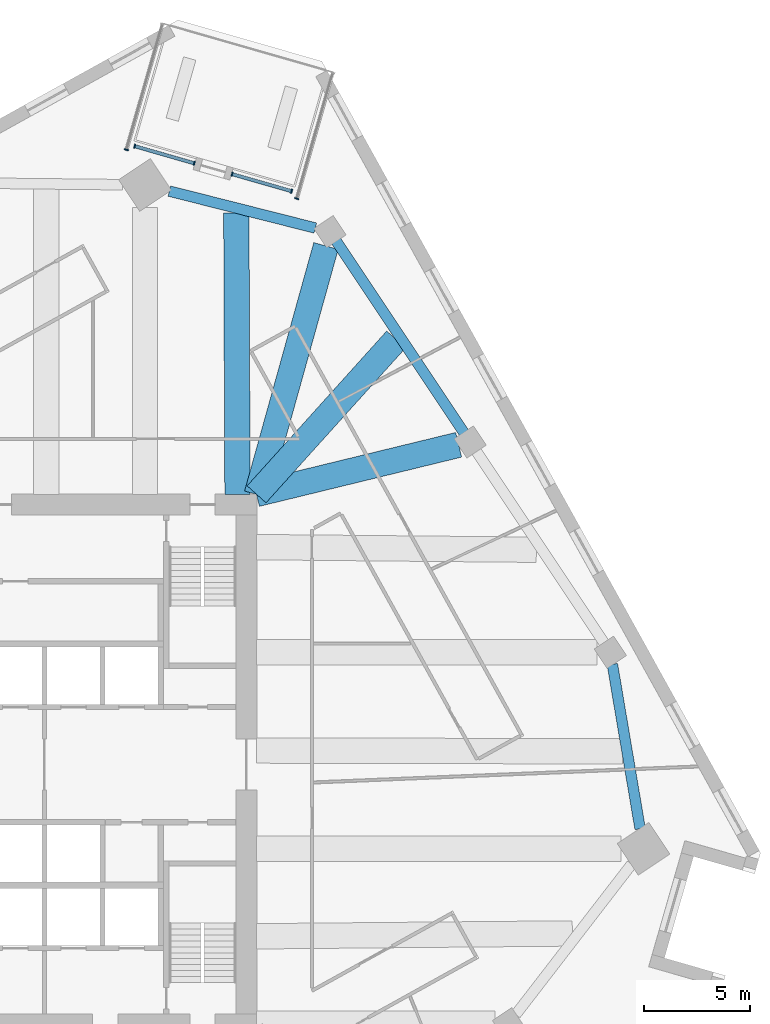
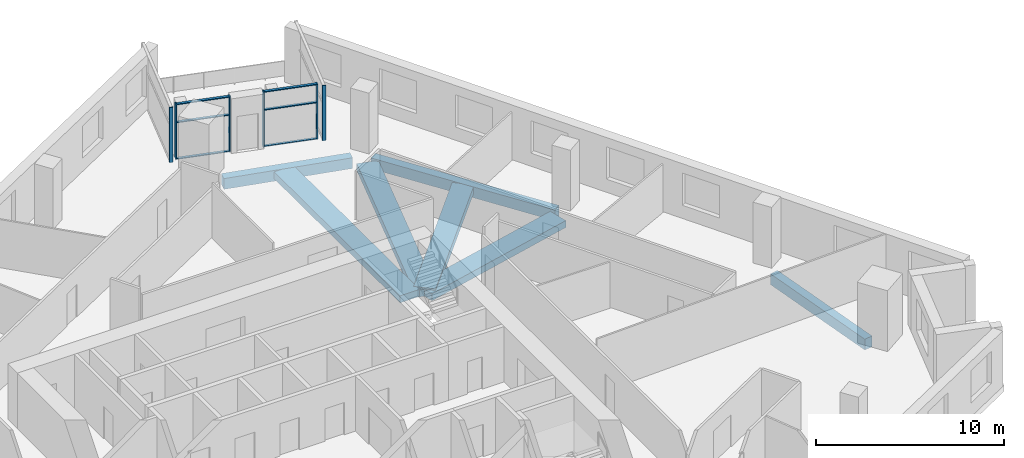
# One storey, part 2 of 12: 12 members, 7 beams, 4 elements without a shape of their own.
"""IFC4 building model written with IfcOpenShell, lengths in metres."""

from ifc_helpers import new_model, si_unit, direction, frame, origin, origin_2d, place, context, subcontext, project, spatial, rectangle, extrude, material, material_profile, profile_set, type_object, element, aggregate, save


model = new_model("IFC4")

# Units and contexts
model_context = context("Model", 3, precision=1e-05, world=origin(), true_north=direction((0.0, 1.0)))
body_context = subcontext(model_context, "Body", "Model", "MODEL_VIEW")
ifc_project = project(units=[si_unit("LENGTHUNIT", "METRE"), si_unit("AREAUNIT", "SQUARE_METRE"), si_unit("VOLUMEUNIT", "CUBIC_METRE"), si_unit("PLANEANGLEUNIT", "RADIAN"), si_unit("MASSUNIT", "GRAM", prefix="KILO")], contexts=[model_context])

# Site, building, storey
site_placement = place(None, origin())
site = spatial("IfcSite", under=ifc_project, at=site_placement, CompositionType="ELEMENT")
building_placement = place(site_placement, origin())
building = spatial("IfcBuilding", under=site, at=building_placement, Name="Dilmun Exchange Tower", CompositionType="ELEMENT")
storey_placement = place(building_placement, frame((0.0, 0.0, 143.699951171875)))
storey = spatial("IfcBuildingStorey", under=building, at=storey_placement, Name="L33", CompositionType="ELEMENT", Elevation=143.699951171875)

# Curtain wall, member
ifc_material_1 = material(Name="Anodised aluminium and clear glass", Category="aluminium")
curtain_wall_type = type_object("IfcCurtainWallType", Name="Garden corner glazing", PredefinedType="NOTDEFINED", material=ifc_material_1)
curtain_wall_1_placement = place(storey_placement, origin())
curtain_wall_1 = element("IfcCurtainWall", 1, at=curtain_wall_1_placement, inside=storey, type_object=curtain_wall_type, Name="Garden corner glazing run GC1.1", PredefinedType="NOTDEFINED")
ifc_material_2 = material(Name="Anodised aluminium", Category="aluminium")
ifc_material_profile_1 = material_profile(ifc_material_2, rectangle(XDim=0.199951171875, YDim=0.06005859375, at=origin_2d()), Name="AL 60x200")
ifc_profile_set_1 = profile_set([ifc_material_profile_1], Name="Anodised aluminium")
member_type_1 = type_object("IfcMemberType", Name="Garden corner glazing mullion 60 x 200", PredefinedType="MULLION", material=ifc_profile_set_1)
member_1_placement = place(storey_placement, frame((14.680908203125, 26.765625, 0.0), z_axis=(0.0, 0.0, 1.0), x_axis=(0.961263137899, -0.275632327054, 0.0)))
member_1 = element("IfcMember", 2, at=member_1_placement, type_object=member_type_1, Name="GC1.1 mullion 2", PredefinedType="MULLION", context=body_context, shape_type="SweptSolid", body=[
    extrude(rectangle(XDim=0.199951171875, YDim=0.06005859375, at=origin_2d()), origin(), (0.0, 0.0, 1.0), 3.60009765625),
])
aggregate(curtain_wall_1, [member_1])

# Curtain wall, members
curtain_wall_2_placement = place(storey_placement, origin())
curtain_wall_2 = element("IfcCurtainWall", 3, at=curtain_wall_2_placement, inside=storey, type_object=curtain_wall_type, Name="Garden corner glazing run GC2.1", PredefinedType="NOTDEFINED")
member_2_placement = place(storey_placement, frame((14.438232421875, 27.115966796875, 0.0), z_axis=(0.0, 0.0, 1.0), x_axis=(-0.275666563186, -0.96125332038, 0.0)))
member_2 = element("IfcMember", 4, at=member_2_placement, type_object=member_type_1, Name="GC2.1 mullion 1", PredefinedType="MULLION", context=body_context, shape_type="SweptSolid", body=[
    extrude(rectangle(XDim=0.199951171875, YDim=0.06005859375, at=origin_2d()), origin(), (0.0, 0.0, 1.0), 3.60009765625),
])
member_3_placement = place(storey_placement, frame((11.62255859375, 27.92333984375, 0.0), z_axis=(0.0, 0.0, 1.0), x_axis=(-0.275666563186, -0.96125332038, 0.0)))
member_3 = element("IfcMember", 5, at=member_3_placement, type_object=member_type_1, Name="GC2.1 mullion 2", PredefinedType="MULLION", context=body_context, shape_type="SweptSolid", body=[
    extrude(rectangle(XDim=0.199951171875, YDim=0.06005859375, at=origin_2d()), origin(), (0.0, 0.0, 1.0), 3.60009765625),
])

curtain_wall_3_placement = place(storey_placement, origin())
curtain_wall_3 = element("IfcCurtainWall", 6, at=curtain_wall_3_placement, inside=storey, type_object=curtain_wall_type, Name="Garden corner glazing run GC2.3", PredefinedType="NOTDEFINED")
member_4_placement = place(storey_placement, frame((9.83447265625, 28.43603515625, 0.0), z_axis=(0.0, 0.0, 1.0), x_axis=(-0.275635650366, -0.961262184967, 0.0)))
member_4 = element("IfcMember", 7, at=member_4_placement, type_object=member_type_1, Name="GC2.3 mullion 1", PredefinedType="MULLION", context=body_context, shape_type="SweptSolid", body=[
    extrude(rectangle(XDim=0.199951171875, YDim=0.06005859375, at=origin_2d()), origin(), (0.0, 0.0, 1.0), 3.60009765625),
])
member_5_placement = place(storey_placement, frame((7.01904296875, 29.243408203125, 0.0), z_axis=(0.0, 0.0, 1.0), x_axis=(-0.275635650366, -0.961262184967, 0.0)))
member_5 = element("IfcMember", 8, at=member_5_placement, type_object=member_type_1, Name="GC2.3 mullion 2", PredefinedType="MULLION", context=body_context, shape_type="SweptSolid", body=[
    extrude(rectangle(XDim=0.199951171875, YDim=0.06005859375, at=origin_2d()), origin(), (0.0, 0.0, 1.0), 3.60009765625),
])

# Curtain wall, member
curtain_wall_4_placement = place(storey_placement, origin())
curtain_wall_4 = element("IfcCurtainWall", 9, at=curtain_wall_4_placement, inside=storey, type_object=curtain_wall_type, Name="Garden corner glazing run GC3.1", PredefinedType="NOTDEFINED")
member_6_placement = place(storey_placement, frame((6.62744140625, 29.074951171875, 0.0), z_axis=(0.0, 0.0, 1.0), x_axis=(-0.961264354152, 0.275628085354, 0.0)))
member_6 = element("IfcMember", 10, at=member_6_placement, type_object=member_type_1, Name="GC3.1 mullion 1", PredefinedType="MULLION", context=body_context, shape_type="SweptSolid", body=[
    extrude(rectangle(XDim=0.199951171875, YDim=0.06005859375, at=origin_2d()), origin(), (0.0, 0.0, 1.0), 3.60009765625),
])
aggregate(curtain_wall_4, [member_6])

# Member
ifc_material_profile_2 = material_profile(ifc_material_2, rectangle(XDim=0.159912109375, YDim=0.06005859375, at=origin_2d()), Name="AL 60x160")
ifc_profile_set_2 = profile_set([ifc_material_profile_2], Name="Anodised aluminium")
member_type_2 = type_object("IfcMemberType", Name="Garden corner glazing transom 60 x 160", PredefinedType="USERDEFINED", material=ifc_profile_set_2)
member_7_placement = place(storey_placement, frame((14.409423828125, 27.124267578125, 0.030029296875), z_axis=(-0.961269871069, 0.275608844153, 0.0), x_axis=(-0.275608844153, -0.961269871069, 0.0)))
member_7 = element("IfcMember", 11, at=member_7_placement, type_object=member_type_2, Name="GC2.1 transom 1.1", ObjectType="TRANSOM", PredefinedType="USERDEFINED", context=body_context, shape_type="SweptSolid", body=[
    extrude(rectangle(XDim=0.159912109375, YDim=0.06005859375, at=origin_2d()), origin(), (0.0, 0.0, 1.0), 2.869140625),
])

member_8_placement = place(storey_placement, frame((14.409423828125, 27.124267578125, 2.400146484375), z_axis=(-0.961269871069, 0.275608844153, 0.0), x_axis=(-0.275608844153, -0.961269871069, 0.0)))
member_8 = element("IfcMember", 12, at=member_8_placement, type_object=member_type_2, Name="GC2.1 transom 1.2", ObjectType="TRANSOM", PredefinedType="USERDEFINED", context=body_context, shape_type="SweptSolid", body=[
    extrude(rectangle(XDim=0.159912109375, YDim=0.06005859375, at=origin_2d()), origin(), (0.0, 0.0, 1.0), 2.869140625),
])

member_9_placement = place(storey_placement, frame((14.409423828125, 27.124267578125, 3.570068359375), z_axis=(-0.961269871069, 0.275608844153, 0.0), x_axis=(-0.275608844153, -0.961269871069, 0.0)))
member_9 = element("IfcMember", 13, at=member_9_placement, type_object=member_type_2, Name="GC2.1 transom 1.3", ObjectType="TRANSOM", PredefinedType="USERDEFINED", context=body_context, shape_type="SweptSolid", body=[
    extrude(rectangle(XDim=0.159912109375, YDim=0.06005859375, at=origin_2d()), origin(), (0.0, 0.0, 1.0), 2.869140625),
])

aggregate(curtain_wall_2, [member_2, member_3, member_7, member_8, member_9])

member_10_placement = place(storey_placement, frame((9.8056640625, 28.4443359375, 0.030029296875), z_axis=(-0.961263406765, 0.275631389387, 0.0), x_axis=(-0.275631389387, -0.961263406765, 0.0)))
member_10 = element("IfcMember", 14, at=member_10_placement, type_object=member_type_2, Name="GC2.3 transom 1.1", ObjectType="TRANSOM", PredefinedType="USERDEFINED", context=body_context, shape_type="SweptSolid", body=[
    extrude(rectangle(XDim=0.159912109375, YDim=0.06005859375, at=origin_2d()), origin(), (0.0, 0.0, 1.0), 2.868896484375),
])

member_11_placement = place(storey_placement, frame((9.8056640625, 28.4443359375, 2.400146484375), z_axis=(-0.961263406765, 0.275631389387, 0.0), x_axis=(-0.275631389387, -0.961263406765, 0.0)))
member_11 = element("IfcMember", 15, at=member_11_placement, type_object=member_type_2, Name="GC2.3 transom 1.2", ObjectType="TRANSOM", PredefinedType="USERDEFINED", context=body_context, shape_type="SweptSolid", body=[
    extrude(rectangle(XDim=0.159912109375, YDim=0.06005859375, at=origin_2d()), origin(), (0.0, 0.0, 1.0), 2.868896484375),
])

member_12_placement = place(storey_placement, frame((9.8056640625, 28.4443359375, 3.570068359375), z_axis=(-0.961263406765, 0.275631389387, 0.0), x_axis=(-0.275631389387, -0.961263406765, 0.0)))
member_12 = element("IfcMember", 16, at=member_12_placement, type_object=member_type_2, Name="GC2.3 transom 1.3", ObjectType="TRANSOM", PredefinedType="USERDEFINED", context=body_context, shape_type="SweptSolid", body=[
    extrude(rectangle(XDim=0.159912109375, YDim=0.06005859375, at=origin_2d()), origin(), (0.0, 0.0, 1.0), 2.868896484375),
])

aggregate(curtain_wall_3, [member_4, member_5, member_10, member_11, member_12])

# Beams
ifc_material_3 = material(Name="Concrete C40/50", Category="concrete")
ifc_material_profile_3 = material_profile(ifc_material_3, rectangle(XDim=1.199951171875, YDim=0.449951171875, at=origin_2d()), Name="1200 x 450")
ifc_profile_set_3 = profile_set([ifc_material_profile_3], Name="Concrete C40/50")
beam_type_1 = type_object("IfcBeamType", Name="RC band beam 1200 x 450 C40/50", PredefinedType="BEAM", material=ifc_profile_set_3)
beam_1_placement = place(storey_placement, frame((22.33837890625, 15.122802734375, -0.724853515625), z_axis=(-0.971607999859, -0.236596480554, 0.0), x_axis=(0.236596480554, -0.971607999859, 0.0)))
element("IfcBeam", 17, at=beam_1_placement, inside=storey, type_object=beam_type_1, Name="Band beam 15", PredefinedType="BEAM", context=body_context, shape_type="SweptSolid", body=[
    extrude(rectangle(XDim=1.199951171875, YDim=0.449951171875, at=origin_2d()), origin(), (0.0, 0.0, 1.0), 9.84423828125),
])
beam_2_placement = place(storey_placement, frame((16.064453125, 24.524658203125, -0.724853515625), z_axis=(-0.268225004284, -0.963356292904, 0.0), x_axis=(0.963356292904, -0.268225004284, 0.0)))
element("IfcBeam", 18, at=beam_2_placement, inside=storey, type_object=beam_type_1, Name="Band beam 16", PredefinedType="BEAM", context=body_context, shape_type="SweptSolid", body=[
    extrude(rectangle(XDim=1.199951171875, YDim=0.449951171875, at=origin_2d()), origin(), (0.0, 0.0, 1.0), 12.19775390625),
])
beam_3_placement = place(storey_placement, frame((19.381103515625, 20.102783203125, -0.625), z_axis=(-0.669462647611, -0.742845719819, 0.0), x_axis=(0.742845719819, -0.669462647611, 0.0)))
element("IfcBeam", 19, at=beam_3_placement, inside=storey, type_object=beam_type_1, Name="Band beam 31", PredefinedType="BEAM", context=body_context, shape_type="SweptSolid", body=[
    extrude(rectangle(XDim=1.199951171875, YDim=0.449951171875, at=origin_2d()), origin(), (0.0, 0.0, 1.0), 9.857666015625),
])
beam_4_placement = place(storey_placement, frame((11.82421875, 26.087890625, -0.625), z_axis=(0.004107193345, -0.999991565446, 0.0), x_axis=(0.999991565446, 0.004107193345, 0.0)))
element("IfcBeam", 20, at=beam_4_placement, inside=storey, type_object=beam_type_1, Name="Band beam 32", PredefinedType="BEAM", context=body_context, shape_type="SweptSolid", body=[
    extrude(rectangle(XDim=1.199951171875, YDim=0.449951171875, at=origin_2d()), origin(), (0.0, 0.0, 1.0), 13.31494140625),
])
ifc_material_profile_4 = material_profile(ifc_material_3, rectangle(XDim=0.5, YDim=0.699951171875, at=origin_2d()), Name="500 x 700")
ifc_profile_set_4 = profile_set([ifc_material_profile_4], Name="Concrete C40/50")
beam_type_2 = type_object("IfcBeamType", Name="RC ring beam 500 x 700 C40/50", PredefinedType="SPANDREL", material=ifc_profile_set_4)
beam_5_placement = place(storey_placement, frame((30.91943359375, -3.036376953125, -0.75), z_axis=(-0.166485785433, 0.986043854628, 0.0), x_axis=(-0.986043854628, -0.166485785433, 0.0)))
element("IfcBeam", 21, at=beam_5_placement, inside=storey, type_object=beam_type_2, Name="Ring beam 13", PredefinedType="SPANDREL", context=body_context, shape_type="SweptSolid", body=[
    extrude(rectangle(XDim=0.5, YDim=0.699951171875, at=origin_2d()), origin(), (0.0, 0.0, 1.0), 7.890869140625),
])
beam_6_placement = place(storey_placement, frame((22.5908203125, 15.690185546875, -0.75), z_axis=(-0.554731197186, 0.832029626196, 0.0), x_axis=(-0.832029626196, -0.554731197186, 0.0)))
element("IfcBeam", 22, at=beam_6_placement, inside=storey, type_object=beam_type_2, Name="Ring beam 15", PredefinedType="SPANDREL", context=body_context, shape_type="SweptSolid", body=[
    extrude(rectangle(XDim=0.5, YDim=0.699951171875, at=origin_2d()), origin(), (0.0, 0.0, 1.0), 10.904052734375),
])
beam_7_placement = place(storey_placement, frame((15.559326171875, 25.373291015625, -0.75), z_axis=(-0.96947736899, 0.245180812903, 0.0), x_axis=(-0.245180812903, -0.96947736899, 0.0)))
element("IfcBeam", 23, at=beam_7_placement, inside=storey, type_object=beam_type_2, Name="Ring beam 16", PredefinedType="SPANDREL", context=body_context, shape_type="SweptSolid", body=[
    extrude(rectangle(XDim=0.5, YDim=0.699951171875, at=origin_2d()), origin(), (0.0, 0.0, 1.0), 7.12060546875),
])

save(model, "model.ifc")
